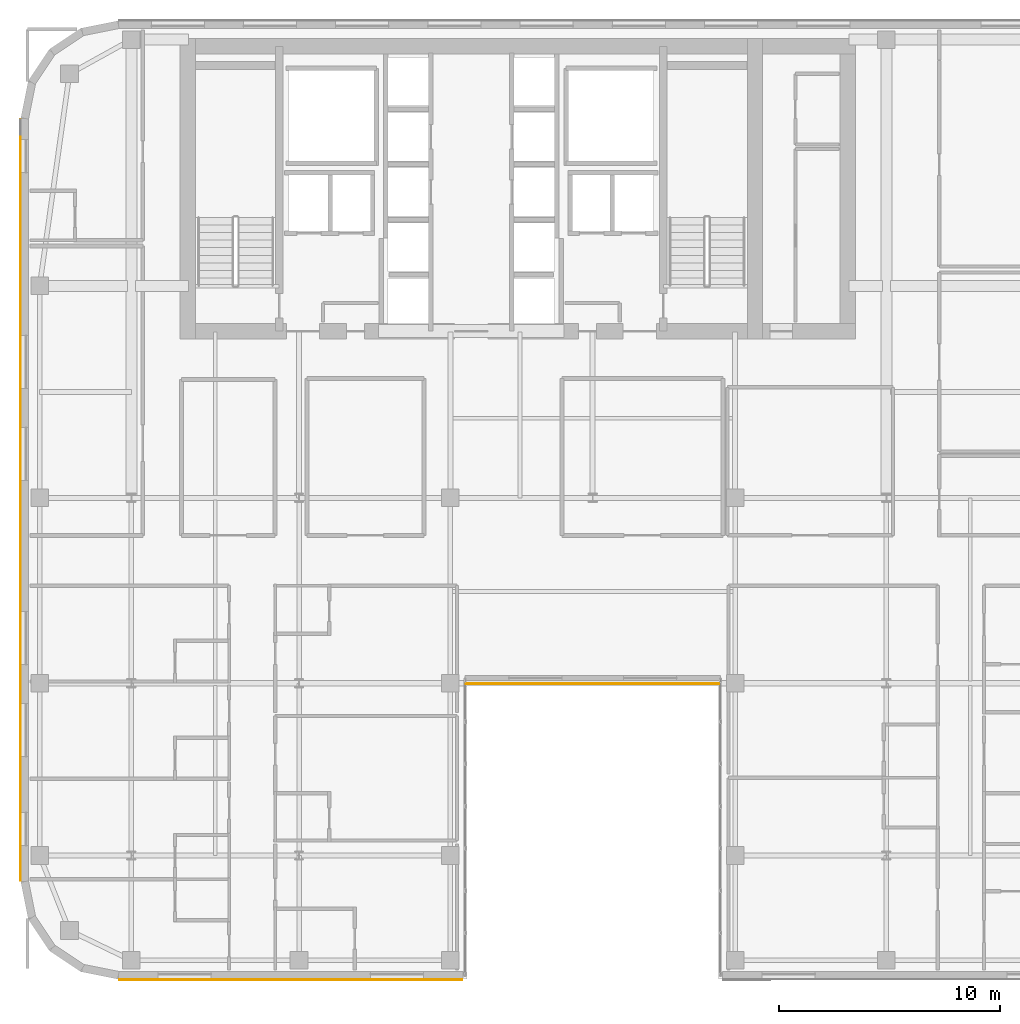
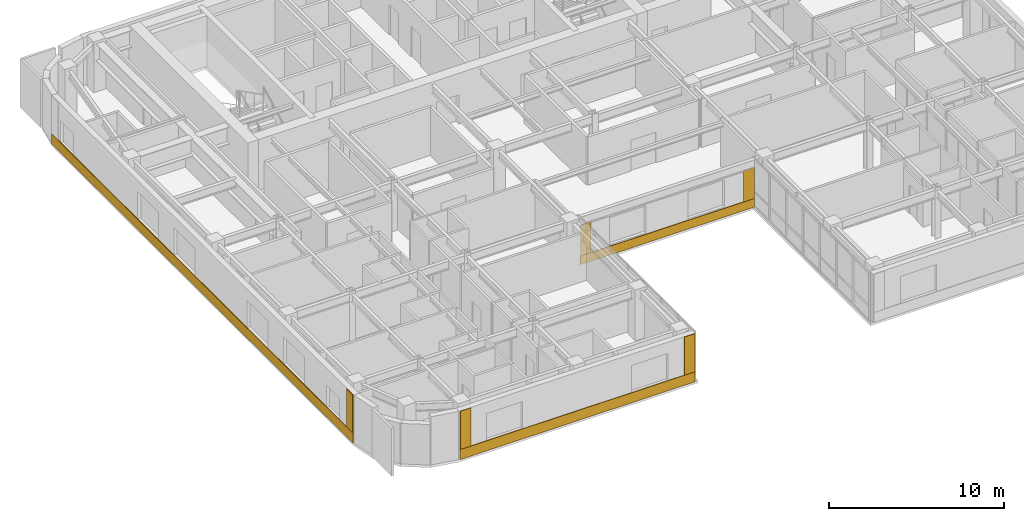
# One storey, part 16 of 20: 8 coverings.
"""IFC4 building model written with IfcOpenShell, lengths in metres."""

from ifc_helpers import new_model, si_unit, direction, frame, origin, place, context, subcontext, project, spatial, polyline, outline, extrude, material, layer, layer_set, type_object, element, save


model = new_model("IFC4")

# Units and contexts
model_context = context("Model", 3, precision=1e-05, world=origin(), true_north=direction((0.0, 1.0)))
body_context = subcontext(model_context, "Body", "Model", "MODEL_VIEW")
ifc_project = project(units=[si_unit("LENGTHUNIT", "METRE"), si_unit("AREAUNIT", "SQUARE_METRE"), si_unit("VOLUMEUNIT", "CUBIC_METRE"), si_unit("PLANEANGLEUNIT", "RADIAN"), si_unit("MASSUNIT", "GRAM", prefix="KILO")], contexts=[model_context])

# Site, building, storey
site_placement = place(None, origin())
site = spatial("IfcSite", under=ifc_project, at=site_placement, CompositionType="ELEMENT")
building_placement = place(site_placement, origin())
building = spatial("IfcBuilding", under=site, at=building_placement, Name="Tolvann Quenvar Hotel", CompositionType="ELEMENT")
storey_placement = place(building_placement, frame((0.0, 0.0, 191.10009765625)))
storey = spatial("IfcBuildingStorey", under=building, at=storey_placement, Name="L50", CompositionType="ELEMENT", Elevation=191.10009765625)

# Coverings
ifc_material_1 = material(Name="Kiln-fired red architectural face brick cladding", Category="masonry")
ifc_layer_1 = layer(ifc_material_1, 0.0400390625)
ifc_layer_set_1 = layer_set([ifc_layer_1], Name="Kiln-fired red architectural face brick cladding")
covering_type_1 = type_object("IfcCoveringType", Name="COV_CLAD_BRICK_40", PredefinedType="CLADDING", material=ifc_layer_set_1)
covering_1_placement = place(storey_placement, frame((0.0, 0.0, 0.699951171875)))
element("IfcCovering", 1, at=covering_1_placement, inside=storey, type_object=covering_type_1, Name="Brick Pier Cladding (L50-E04-P1)", PredefinedType="CLADDING", context=body_context, shape_type="SweptSolid", body=[
    extrude(outline(polyline([(7.067138671875, 2.60009765625), (7.76708984375, 2.60009765625), (7.76708984375, 2.56005859375), (7.067138671875, 2.56005859375), (7.067138671875, 2.60009765625)])), origin(), (0.0, 0.0, 1.0), 2.669921875),
])
covering_2_placement = place(storey_placement, frame((0.0, 0.0, 0.699951171875)))
element("IfcCovering", 2, at=covering_2_placement, inside=storey, type_object=covering_type_1, Name="Brick Pier Cladding (L50-E04-P2)", PredefinedType="CLADDING", context=body_context, shape_type="SweptSolid", body=[
    extrude(outline(polyline([(21.875, 2.60009765625), (22.574951171875, 2.60009765625), (22.574951171875, 2.56005859375), (21.875, 2.56005859375), (21.875, 2.60009765625)])), origin(), (0.0, 0.0, 1.0), 2.669921875),
])
covering_3_placement = place(storey_placement, frame((0.0, 0.0, 0.606689453125)))
element("IfcCovering", 3, at=covering_3_placement, inside=storey, type_object=covering_type_1, Name="Brick Pier Cladding (L50-E06-P1)", PredefinedType="CLADDING", context=body_context, shape_type="SweptSolid", body=[
    extrude(outline(polyline([(22.760009765625, 16.0), (23.4599609375, 16.0), (23.4599609375, 15.9599609375), (22.760009765625, 15.9599609375), (22.760009765625, 16.0)])), origin(), (0.0, 0.0, 1.0), 2.151123046875),
])
covering_4_placement = place(storey_placement, frame((0.0, 0.0, 0.606689453125)))
element("IfcCovering", 4, at=covering_4_placement, inside=storey, type_object=covering_type_1, Name="Brick Pier Cladding (L50-E06-P2)", PredefinedType="CLADDING", context=body_context, shape_type="SweptSolid", body=[
    extrude(outline(polyline([(33.5400390625, 16.0), (34.239990234375, 16.0), (34.239990234375, 15.9599609375), (33.5400390625, 15.9599609375), (33.5400390625, 16.0)])), origin(), (0.0, 0.0, 1.0), 2.151123046875),
])
covering_5_placement = place(storey_placement, frame((0.0, 0.0, 0.699951171875)))
element("IfcCovering", 5, at=covering_5_placement, inside=storey, type_object=covering_type_1, Name="Brick Pier Cladding (L50-E23-P2)", PredefinedType="CLADDING", context=body_context, shape_type="SweptSolid", body=[
    extrude(outline(polyline([(2.60009765625, 7.76708984375), (2.60009765625, 7.067138671875), (2.56005859375, 7.067138671875), (2.56005859375, 7.76708984375), (2.60009765625, 7.76708984375)])), origin(), (0.0, 0.0, 1.0), 2.669921875),
])
ifc_material_2 = material(Name="Moulded buff architectural terracotta spandrel cladding", Category="masonry")
ifc_layer_2 = layer(ifc_material_2, 0.0400390625)
ifc_layer_set_2 = layer_set([ifc_layer_2], Name="Moulded buff architectural terracotta spandrel cladding")
covering_type_2 = type_object("IfcCoveringType", Name="COV_CLAD_TERRA_40", PredefinedType="CLADDING", material=ifc_layer_set_2)
covering_6_placement = place(storey_placement, origin())
element("IfcCovering", 6, at=covering_6_placement, inside=storey, type_object=covering_type_2, Name="Terracotta Spandrel Cladding (L50-E04)", PredefinedType="CLADDING", context=body_context, shape_type="SweptSolid", body=[
    extrude(outline(polyline([(7.05712890625, 2.60009765625), (22.5849609375, 2.60009765625), (22.5849609375, 2.56005859375), (7.05712890625, 2.56005859375), (7.05712890625, 2.60009765625)])), origin(), (0.0, 0.0, 1.0), 0.699951171875),
])
covering_7_placement = place(storey_placement, origin())
element("IfcCovering", 7, at=covering_7_placement, inside=storey, type_object=covering_type_2, Name="Terracotta Spandrel Cladding (L50-E06)", PredefinedType="CLADDING", context=body_context, shape_type="SweptSolid", body=[
    extrude(outline(polyline([(22.75, 16.0), (34.25, 16.0), (34.25, 15.9599609375), (22.75, 15.9599609375), (22.75, 16.0)])), origin(), (0.0, 0.0, 1.0), 0.606689453125),
])
covering_8_placement = place(storey_placement, origin())
element("IfcCovering", 8, at=covering_8_placement, inside=storey, type_object=covering_type_2, Name="Terracotta Spandrel Cladding (L50-E23)", PredefinedType="CLADDING", context=body_context, shape_type="SweptSolid", body=[
    extrude(outline(polyline([(2.60009765625, 41.542724609375), (2.60009765625, 7.05712890625), (2.56005859375, 7.05712890625), (2.56005859375, 41.542724609375), (2.60009765625, 41.542724609375)])), origin(), (0.0, 0.0, 1.0), 0.699951171875),
])

save(model, "model.ifc")
